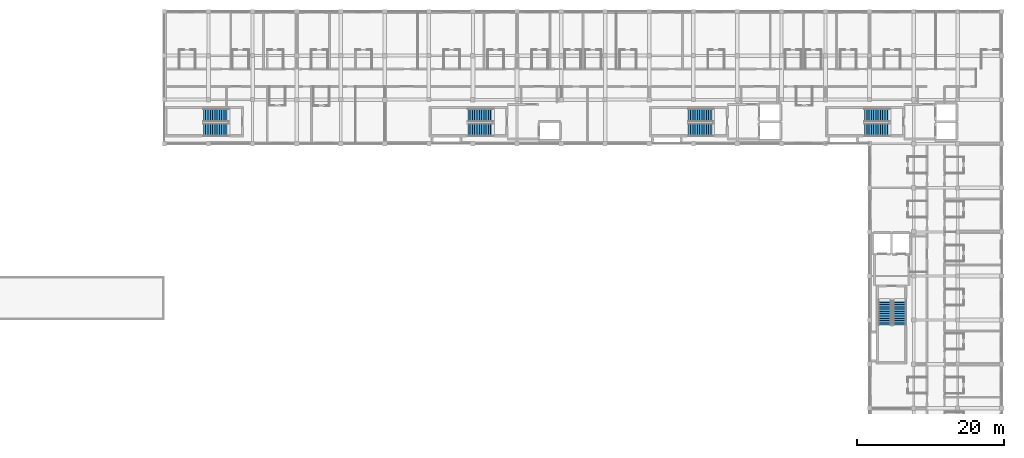
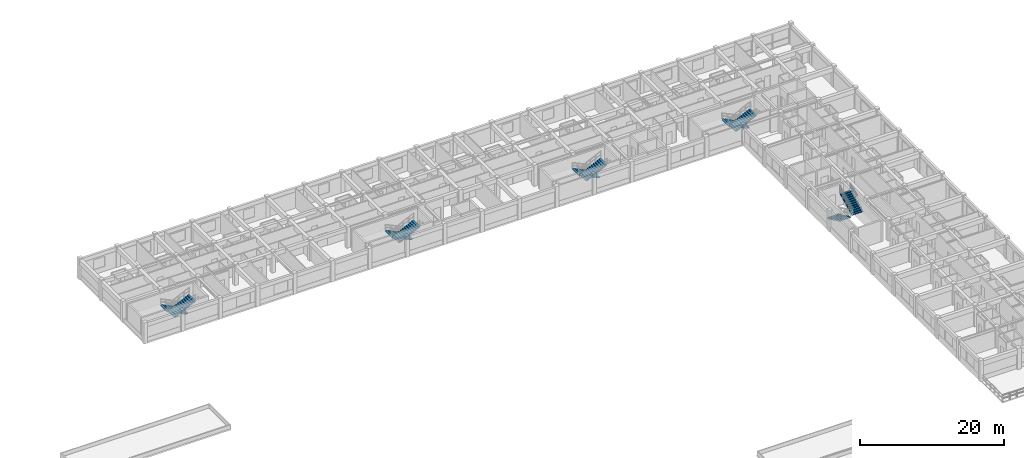
# One storey, part 19 of 25: 10 stair flights, 5 elements without a shape of their own.
"""IFC4 building model written with IfcOpenShell, lengths in metres."""

from ifc_helpers import new_model, si_unit, direction, frame, origin, place, context, subcontext, project, spatial, polyline, outline, extrude, material, type_object, element, aggregate, save


model = new_model("IFC4")

# Units and contexts
model_context = context("Model", 3, precision=1e-05, world=origin(), true_north=direction((0.0, 1.0)))
body_context = subcontext(model_context, "Body", "Model", "MODEL_VIEW")
ifc_project = project(units=[si_unit("LENGTHUNIT", "METRE"), si_unit("AREAUNIT", "SQUARE_METRE"), si_unit("VOLUMEUNIT", "CUBIC_METRE"), si_unit("PLANEANGLEUNIT", "RADIAN"), si_unit("MASSUNIT", "GRAM", prefix="KILO"), si_unit("THERMODYNAMICTEMPERATUREUNIT", "KELVIN"), si_unit("POWERUNIT", "WATT")], contexts=[model_context])

# Site, building, storey
site_placement = place(None, origin())
site = spatial("IfcSite", under=ifc_project, at=site_placement, CompositionType="ELEMENT")
building_placement = place(site_placement, origin())
building = spatial("IfcBuilding", under=site, at=building_placement, Name="Phaisarnlok Congress Hotel", CompositionType="ELEMENT")
storey_placement = place(building_placement, frame((0.0, 0.0, 24.60009765625)))
storey = spatial("IfcBuildingStorey", under=building, at=storey_placement, Name="L05", CompositionType="ELEMENT", Elevation=24.60009765625)

# Stair, stair flights
ifc_material = material(Name="Concrete C40/50", Category="concrete")
stair_type = type_object("IfcStairType", Name="STR-DOG-04", PredefinedType="HALF_TURN_STAIR", material=ifc_material)
stair_1_placement = place(storey_placement, origin())
stair_1 = element("IfcStair", 1, at=stair_1_placement, inside=storey, type_object=stair_type, Name="L05 ST-05", PredefinedType="HALF_TURN_STAIR")
stair_flight_type = type_object("IfcStairFlightType", Name="SFL-RC-04", PredefinedType="STRAIGHT", material=ifc_material)
stair_flight_1_placement = place(storey_placement, frame((164.719970703125, 111.909912109375, 0.0), z_axis=(0.0, 0.0, 1.0), x_axis=(-1.0, 0.0, 0.0)))
stair_flight_1 = element("IfcStairFlight", 2, at=stair_flight_1_placement, type_object=stair_flight_type, Name="ST-05 flight 1", NumberOfRisers=12, NumberOfTreads=11, PredefinedType="STRAIGHT", RiserHeight=0.15, TreadLength=0.31, context=body_context, shape_type="SweptSolid", body=[
    extrude(outline(polyline([(0.0, 0.0), (0.0, 0.14990234375), (0.31005859375, 0.14990234375), (0.31005859375, 0.300048828125), (0.6201171875, 0.300048828125), (0.6201171875, 0.449951171875), (0.929931640625, 0.449951171875), (0.929931640625, 0.60009765625), (1.239990234375, 0.60009765625), (1.239990234375, 0.75), (1.550048828125, 0.75), (1.550048828125, 0.89990234375), (1.860107421875, 0.89990234375), (1.860107421875, 1.050048828125), (2.169921875, 1.050048828125), (2.169921875, 1.199951171875), (2.47998046875, 1.199951171875), (2.47998046875, 1.35009765625), (2.7900390625, 1.35009765625), (2.7900390625, 1.5), (3.10009765625, 1.5), (3.10009765625, 1.64990234375), (3.409912109375, 1.64990234375), (3.409912109375, 1.800048828125), (3.409912109375, 1.4833984375), (0.34423828125, 0.0), (0.0, 0.0)])), frame((0.0, 0.89013671875, 0.0), z_axis=(0.0, -1.0, 0.0), x_axis=(1.0, 0.0, 0.0)), (0.0, 0.0, 1.0), 1.780029296875),
])
stair_flight_2_placement = place(storey_placement, frame((161.31005859375, 109.889892578125, 1.7998046875), z_axis=(0.0, 0.0, 1.0), x_axis=(1.0, 0.0, 0.0)))
stair_flight_2 = element("IfcStairFlight", 3, at=stair_flight_2_placement, type_object=stair_flight_type, Name="ST-05 flight 2", NumberOfRisers=12, NumberOfTreads=11, PredefinedType="STRAIGHT", RiserHeight=0.15, TreadLength=0.31, context=body_context, shape_type="SweptSolid", body=[
    extrude(outline(polyline([(0.0, 0.0), (0.0, 0.14990234375), (0.31005859375, 0.14990234375), (0.31005859375, 0.300048828125), (0.6201171875, 0.300048828125), (0.6201171875, 0.449951171875), (0.929931640625, 0.449951171875), (0.929931640625, 0.60009765625), (1.239990234375, 0.60009765625), (1.239990234375, 0.75), (1.550048828125, 0.75), (1.550048828125, 0.89990234375), (1.860107421875, 0.89990234375), (1.860107421875, 1.050048828125), (2.169921875, 1.050048828125), (2.169921875, 1.199951171875), (2.47998046875, 1.199951171875), (2.47998046875, 1.35009765625), (2.7900390625, 1.35009765625), (2.7900390625, 1.5), (3.10009765625, 1.5), (3.10009765625, 1.64990234375), (3.409912109375, 1.64990234375), (3.409912109375, 1.800048828125), (3.409912109375, 1.4833984375), (0.34423828125, 0.0), (0.0, 0.0)])), frame((0.0, 0.89013671875, 0.0), z_axis=(0.0, -1.0, 0.0), x_axis=(1.0, 0.0, 0.0)), (0.0, 0.0, 1.0), 1.780029296875),
])
aggregate(stair_1, [stair_flight_1, stair_flight_2])

stair_2_placement = place(storey_placement, origin())
stair_2 = element("IfcStair", 4, at=stair_2_placement, inside=storey, type_object=stair_type, Name="L05 ST-06", PredefinedType="HALF_TURN_STAIR")
stair_flight_3_placement = place(storey_placement, frame((140.719970703125, 111.909912109375, 0.0), z_axis=(0.0, 0.0, 1.0), x_axis=(-1.0, 0.0, 0.0)))
stair_flight_3 = element("IfcStairFlight", 5, at=stair_flight_3_placement, type_object=stair_flight_type, Name="ST-06 flight 1", NumberOfRisers=12, NumberOfTreads=11, PredefinedType="STRAIGHT", RiserHeight=0.15, TreadLength=0.31, context=body_context, shape_type="SweptSolid", body=[
    extrude(outline(polyline([(0.0, 0.0), (0.0, 0.14990234375), (0.31005859375, 0.14990234375), (0.31005859375, 0.300048828125), (0.6201171875, 0.300048828125), (0.6201171875, 0.449951171875), (0.929931640625, 0.449951171875), (0.929931640625, 0.60009765625), (1.239990234375, 0.60009765625), (1.239990234375, 0.75), (1.550048828125, 0.75), (1.550048828125, 0.89990234375), (1.860107421875, 0.89990234375), (1.860107421875, 1.050048828125), (2.169921875, 1.050048828125), (2.169921875, 1.199951171875), (2.47998046875, 1.199951171875), (2.47998046875, 1.35009765625), (2.7900390625, 1.35009765625), (2.7900390625, 1.5), (3.10009765625, 1.5), (3.10009765625, 1.64990234375), (3.409912109375, 1.64990234375), (3.409912109375, 1.800048828125), (3.409912109375, 1.4833984375), (0.34423828125, 0.0), (0.0, 0.0)])), frame((0.0, 0.89013671875, 0.0), z_axis=(0.0, -1.0, 0.0), x_axis=(1.0, 0.0, 0.0)), (0.0, 0.0, 1.0), 1.780029296875),
])
stair_flight_4_placement = place(storey_placement, frame((137.31005859375, 109.889892578125, 1.7998046875), z_axis=(0.0, 0.0, 1.0), x_axis=(1.0, 0.0, 0.0)))
stair_flight_4 = element("IfcStairFlight", 6, at=stair_flight_4_placement, type_object=stair_flight_type, Name="ST-06 flight 2", NumberOfRisers=12, NumberOfTreads=11, PredefinedType="STRAIGHT", RiserHeight=0.15, TreadLength=0.31, context=body_context, shape_type="SweptSolid", body=[
    extrude(outline(polyline([(0.0, 0.0), (0.0, 0.14990234375), (0.31005859375, 0.14990234375), (0.31005859375, 0.300048828125), (0.6201171875, 0.300048828125), (0.6201171875, 0.449951171875), (0.929931640625, 0.449951171875), (0.929931640625, 0.60009765625), (1.239990234375, 0.60009765625), (1.239990234375, 0.75), (1.550048828125, 0.75), (1.550048828125, 0.89990234375), (1.860107421875, 0.89990234375), (1.860107421875, 1.050048828125), (2.169921875, 1.050048828125), (2.169921875, 1.199951171875), (2.47998046875, 1.199951171875), (2.47998046875, 1.35009765625), (2.7900390625, 1.35009765625), (2.7900390625, 1.5), (3.10009765625, 1.5), (3.10009765625, 1.64990234375), (3.409912109375, 1.64990234375), (3.409912109375, 1.800048828125), (3.409912109375, 1.4833984375), (0.34423828125, 0.0), (0.0, 0.0)])), frame((0.0, 0.89013671875, 0.0), z_axis=(0.0, -1.0, 0.0), x_axis=(1.0, 0.0, 0.0)), (0.0, 0.0, 1.0), 1.780029296875),
])
aggregate(stair_2, [stair_flight_3, stair_flight_4])

stair_3_placement = place(storey_placement, origin())
stair_3 = element("IfcStair", 7, at=stair_3_placement, inside=storey, type_object=stair_type, Name="L05 ST-07", PredefinedType="HALF_TURN_STAIR")
stair_flight_5_placement = place(storey_placement, frame((110.719970703125, 111.909912109375, 0.0), z_axis=(0.0, 0.0, 1.0), x_axis=(-1.0, 0.0, 0.0)))
stair_flight_5 = element("IfcStairFlight", 8, at=stair_flight_5_placement, type_object=stair_flight_type, Name="ST-07 flight 1", NumberOfRisers=12, NumberOfTreads=11, PredefinedType="STRAIGHT", RiserHeight=0.15, TreadLength=0.31, context=body_context, shape_type="SweptSolid", body=[
    extrude(outline(polyline([(0.0, 0.0), (0.0, 0.14990234375), (0.31005859375, 0.14990234375), (0.31005859375, 0.300048828125), (0.6201171875, 0.300048828125), (0.6201171875, 0.449951171875), (0.929931640625, 0.449951171875), (0.929931640625, 0.60009765625), (1.239990234375, 0.60009765625), (1.239990234375, 0.75), (1.550048828125, 0.75), (1.550048828125, 0.89990234375), (1.860107421875, 0.89990234375), (1.860107421875, 1.050048828125), (2.169921875, 1.050048828125), (2.169921875, 1.199951171875), (2.47998046875, 1.199951171875), (2.47998046875, 1.35009765625), (2.7900390625, 1.35009765625), (2.7900390625, 1.5), (3.10009765625, 1.5), (3.10009765625, 1.64990234375), (3.409912109375, 1.64990234375), (3.409912109375, 1.800048828125), (3.409912109375, 1.4833984375), (0.34423828125, 0.0), (0.0, 0.0)])), frame((0.0, 0.89013671875, 0.0), z_axis=(0.0, -1.0, 0.0), x_axis=(1.0, 0.0, 0.0)), (0.0, 0.0, 1.0), 1.780029296875),
])
stair_flight_6_placement = place(storey_placement, frame((107.31005859375, 109.889892578125, 1.7998046875), z_axis=(0.0, 0.0, 1.0), x_axis=(1.0, 0.0, 0.0)))
stair_flight_6 = element("IfcStairFlight", 9, at=stair_flight_6_placement, type_object=stair_flight_type, Name="ST-07 flight 2", NumberOfRisers=12, NumberOfTreads=11, PredefinedType="STRAIGHT", RiserHeight=0.15, TreadLength=0.31, context=body_context, shape_type="SweptSolid", body=[
    extrude(outline(polyline([(0.0, 0.0), (0.0, 0.14990234375), (0.31005859375, 0.14990234375), (0.31005859375, 0.300048828125), (0.6201171875, 0.300048828125), (0.6201171875, 0.449951171875), (0.929931640625, 0.449951171875), (0.929931640625, 0.60009765625), (1.239990234375, 0.60009765625), (1.239990234375, 0.75), (1.550048828125, 0.75), (1.550048828125, 0.89990234375), (1.860107421875, 0.89990234375), (1.860107421875, 1.050048828125), (2.169921875, 1.050048828125), (2.169921875, 1.199951171875), (2.47998046875, 1.199951171875), (2.47998046875, 1.35009765625), (2.7900390625, 1.35009765625), (2.7900390625, 1.5), (3.10009765625, 1.5), (3.10009765625, 1.64990234375), (3.409912109375, 1.64990234375), (3.409912109375, 1.800048828125), (3.409912109375, 1.4833984375), (0.34423828125, 0.0), (0.0, 0.0)])), frame((0.0, 0.89013671875, 0.0), z_axis=(0.0, -1.0, 0.0), x_axis=(1.0, 0.0, 0.0)), (0.0, 0.0, 1.0), 1.780029296875),
])
aggregate(stair_3, [stair_flight_5, stair_flight_6])

stair_4_placement = place(storey_placement, origin())
stair_4 = element("IfcStair", 10, at=stair_4_placement, inside=storey, type_object=stair_type, Name="L05 ST-09", PredefinedType="HALF_TURN_STAIR")
stair_flight_7_placement = place(storey_placement, frame((164.090087890625, 86.719970703125, 0.0), z_axis=(0.0, 0.0, 1.0), x_axis=(0.0, -1.0, 0.0)))
stair_flight_7 = element("IfcStairFlight", 11, at=stair_flight_7_placement, type_object=stair_flight_type, Name="ST-09 flight 1", NumberOfRisers=12, NumberOfTreads=11, PredefinedType="STRAIGHT", RiserHeight=0.15, TreadLength=0.31, context=body_context, shape_type="SweptSolid", body=[
    extrude(outline(polyline([(0.0, 0.0), (0.0, 0.14990234375), (0.31005859375, 0.14990234375), (0.31005859375, 0.300048828125), (0.6201171875, 0.300048828125), (0.6201171875, 0.449951171875), (0.929931640625, 0.449951171875), (0.929931640625, 0.60009765625), (1.239990234375, 0.60009765625), (1.239990234375, 0.75), (1.550048828125, 0.75), (1.550048828125, 0.89990234375), (1.860107421875, 0.89990234375), (1.860107421875, 1.050048828125), (2.169921875, 1.050048828125), (2.169921875, 1.199951171875), (2.47998046875, 1.199951171875), (2.47998046875, 1.35009765625), (2.7900390625, 1.35009765625), (2.7900390625, 1.5), (3.10009765625, 1.5), (3.10009765625, 1.64990234375), (3.409912109375, 1.64990234375), (3.409912109375, 1.800048828125), (3.409912109375, 1.4833984375), (0.34423828125, 0.0), (0.0, 0.0)])), frame((0.0, 0.89013671875, 0.0), z_axis=(0.0, -1.0, 0.0), x_axis=(1.0, 0.0, 0.0)), (0.0, 0.0, 1.0), 1.780029296875),
])
stair_flight_8_placement = place(storey_placement, frame((166.110107421875, 83.31005859375, 1.7998046875), z_axis=(0.0, 0.0, 1.0), x_axis=(0.0, 1.0, 0.0)))
stair_flight_8 = element("IfcStairFlight", 12, at=stair_flight_8_placement, type_object=stair_flight_type, Name="ST-09 flight 2", NumberOfRisers=12, NumberOfTreads=11, PredefinedType="STRAIGHT", RiserHeight=0.15, TreadLength=0.31, context=body_context, shape_type="SweptSolid", body=[
    extrude(outline(polyline([(0.0, 0.0), (0.0, 0.14990234375), (0.31005859375, 0.14990234375), (0.31005859375, 0.300048828125), (0.6201171875, 0.300048828125), (0.6201171875, 0.449951171875), (0.929931640625, 0.449951171875), (0.929931640625, 0.60009765625), (1.239990234375, 0.60009765625), (1.239990234375, 0.75), (1.550048828125, 0.75), (1.550048828125, 0.89990234375), (1.860107421875, 0.89990234375), (1.860107421875, 1.050048828125), (2.169921875, 1.050048828125), (2.169921875, 1.199951171875), (2.47998046875, 1.199951171875), (2.47998046875, 1.35009765625), (2.7900390625, 1.35009765625), (2.7900390625, 1.5), (3.10009765625, 1.5), (3.10009765625, 1.64990234375), (3.409912109375, 1.64990234375), (3.409912109375, 1.800048828125), (3.409912109375, 1.4833984375), (0.34423828125, 0.0), (0.0, 0.0)])), frame((0.0, 0.89013671875, 0.0), z_axis=(0.0, -1.0, 0.0), x_axis=(1.0, 0.0, 0.0)), (0.0, 0.0, 1.0), 1.780029296875),
])
aggregate(stair_4, [stair_flight_7, stair_flight_8])

stair_5_placement = place(storey_placement, origin())
stair_5 = element("IfcStair", 13, at=stair_5_placement, inside=storey, type_object=stair_type, Name="L05 ST-10", PredefinedType="HALF_TURN_STAIR")
stair_flight_9_placement = place(storey_placement, frame((74.719970703125, 111.909912109375, 0.0), z_axis=(0.0, 0.0, 1.0), x_axis=(-1.0, 0.0, 0.0)))
stair_flight_9 = element("IfcStairFlight", 14, at=stair_flight_9_placement, type_object=stair_flight_type, Name="ST-10 flight 1", NumberOfRisers=12, NumberOfTreads=11, PredefinedType="STRAIGHT", RiserHeight=0.15, TreadLength=0.31, context=body_context, shape_type="SweptSolid", body=[
    extrude(outline(polyline([(0.0, 0.0), (0.0, 0.14990234375), (0.31005859375, 0.14990234375), (0.31005859375, 0.300048828125), (0.6201171875, 0.300048828125), (0.6201171875, 0.449951171875), (0.929931640625, 0.449951171875), (0.929931640625, 0.60009765625), (1.239990234375, 0.60009765625), (1.239990234375, 0.75), (1.550048828125, 0.75), (1.550048828125, 0.89990234375), (1.860107421875, 0.89990234375), (1.860107421875, 1.050048828125), (2.169921875, 1.050048828125), (2.169921875, 1.199951171875), (2.47998046875, 1.199951171875), (2.47998046875, 1.35009765625), (2.7900390625, 1.35009765625), (2.7900390625, 1.5), (3.10009765625, 1.5), (3.10009765625, 1.64990234375), (3.409912109375, 1.64990234375), (3.409912109375, 1.800048828125), (3.409912109375, 1.4833984375), (0.34423828125, 0.0), (0.0, 0.0)])), frame((0.0, 0.89013671875, 0.0), z_axis=(0.0, -1.0, 0.0), x_axis=(1.0, 0.0, 0.0)), (0.0, 0.0, 1.0), 1.780029296875),
])
stair_flight_10_placement = place(storey_placement, frame((71.31005859375, 109.889892578125, 1.7998046875), z_axis=(0.0, 0.0, 1.0), x_axis=(1.0, 0.0, 0.0)))
stair_flight_10 = element("IfcStairFlight", 15, at=stair_flight_10_placement, type_object=stair_flight_type, Name="ST-10 flight 2", NumberOfRisers=12, NumberOfTreads=11, PredefinedType="STRAIGHT", RiserHeight=0.15, TreadLength=0.31, context=body_context, shape_type="SweptSolid", body=[
    extrude(outline(polyline([(0.0, 0.0), (0.0, 0.14990234375), (0.31005859375, 0.14990234375), (0.31005859375, 0.300048828125), (0.6201171875, 0.300048828125), (0.6201171875, 0.449951171875), (0.929931640625, 0.449951171875), (0.929931640625, 0.60009765625), (1.239990234375, 0.60009765625), (1.239990234375, 0.75), (1.550048828125, 0.75), (1.550048828125, 0.89990234375), (1.860107421875, 0.89990234375), (1.860107421875, 1.050048828125), (2.169921875, 1.050048828125), (2.169921875, 1.199951171875), (2.47998046875, 1.199951171875), (2.47998046875, 1.35009765625), (2.7900390625, 1.35009765625), (2.7900390625, 1.5), (3.10009765625, 1.5), (3.10009765625, 1.64990234375), (3.409912109375, 1.64990234375), (3.409912109375, 1.800048828125), (3.409912109375, 1.4833984375), (0.34423828125, 0.0), (0.0, 0.0)])), frame((0.0, 0.89013671875, 0.0), z_axis=(0.0, -1.0, 0.0), x_axis=(1.0, 0.0, 0.0)), (0.0, 0.0, 1.0), 1.780029296875),
])
aggregate(stair_5, [stair_flight_9, stair_flight_10])

save(model, "model.ifc")
